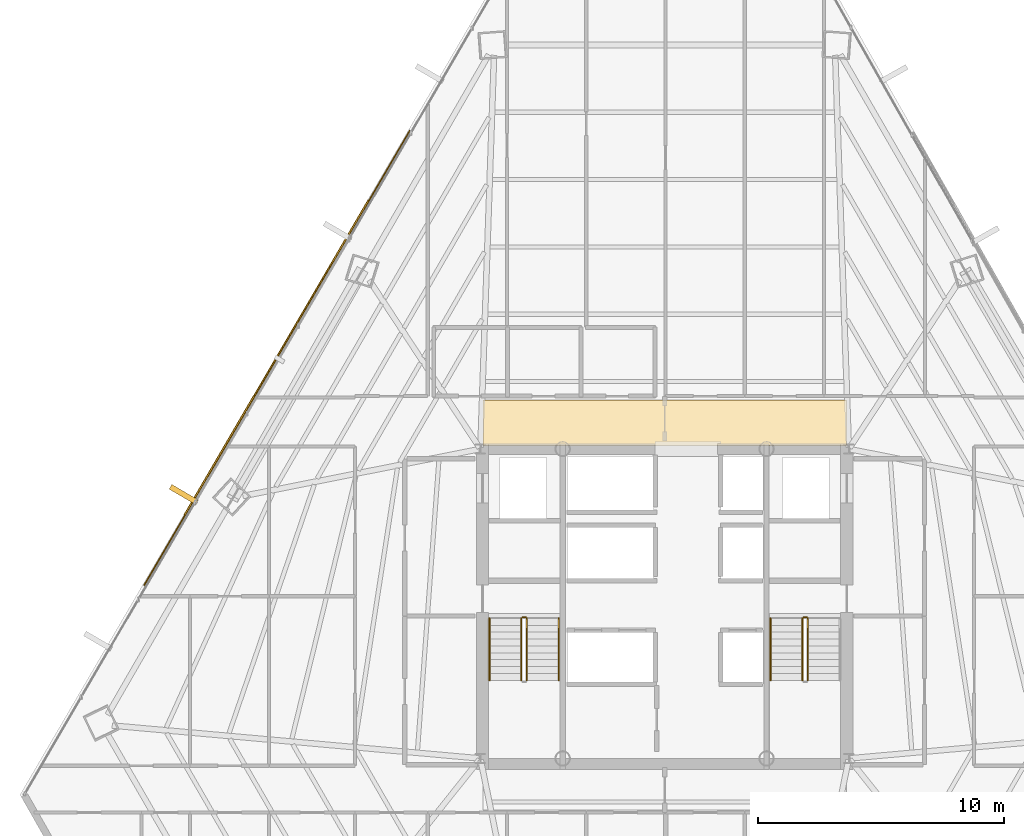
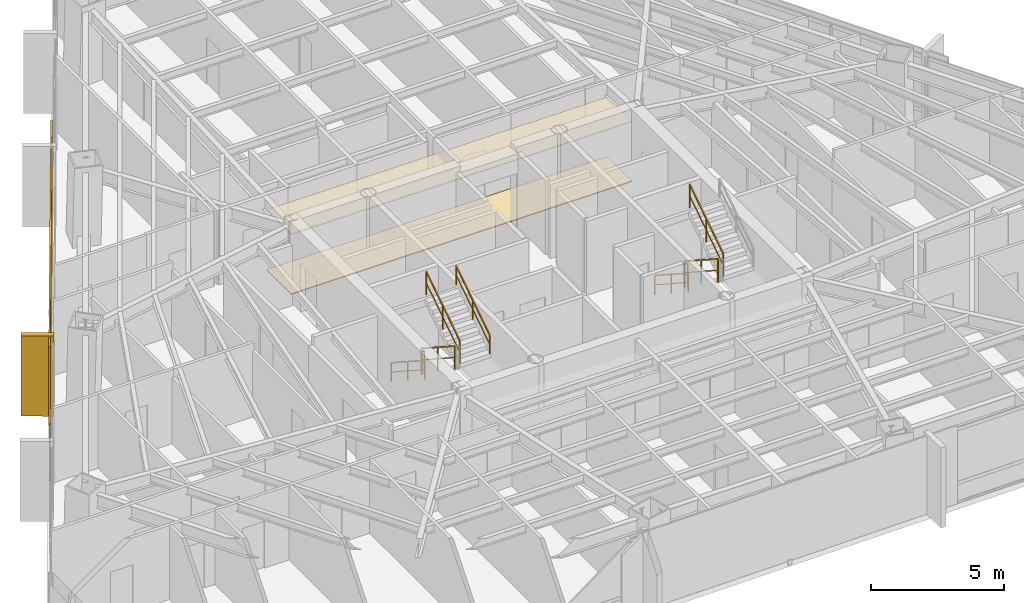
# One storey, part 34 of 35: 9 railings, 4 coverings, 1 shading device.
"""IFC4 building model written with IfcOpenShell, lengths in metres."""

from ifc_helpers import new_model, si_unit, direction, frame, origin, origin_2d, place, context, subcontext, project, spatial, polyline, rectangle, outline, extrude, source, transform, mapped, material, layer, layer_set, type_object, type_shapes, element, save


model = new_model("IFC4")

# Units and contexts
model_context = context("Model", 3, precision=1e-05, world=origin(), true_north=direction((0.0, 1.0)))
body_context = subcontext(model_context, "Body", "Model", "MODEL_VIEW")
ifc_project = project(units=[si_unit("LENGTHUNIT", "METRE"), si_unit("AREAUNIT", "SQUARE_METRE"), si_unit("VOLUMEUNIT", "CUBIC_METRE"), si_unit("PLANEANGLEUNIT", "RADIAN"), si_unit("MASSUNIT", "GRAM", prefix="KILO")], contexts=[model_context])

# Site, building, storey
site_placement = place(None, origin())
site = spatial("IfcSite", under=ifc_project, at=site_placement, CompositionType="ELEMENT")
building_placement = place(site_placement, origin())
building = spatial("IfcBuilding", under=site, at=building_placement, Name="Caelisora Broadcast Tower", CompositionType="ELEMENT")
storey_placement = place(building_placement, frame((0.0, 0.0, 123.64990234375)))
storey = spatial("IfcBuildingStorey", under=building, at=storey_placement, Name="L32", CompositionType="ELEMENT", Elevation=123.64990234375)

# Coverings
ifc_material_1 = material(Name="Perforated Mineral-Fibre Acoustic Ceiling Tile", Category="gypsum")
ifc_layer_1 = layer(ifc_material_1, 0.034912109375, Name="Perforated Mineral-Fibre Acoustic Ceiling Tile")
ifc_layer_set_1 = layer_set([ifc_layer_1], Name="Perforated Mineral-Fibre Acoustic Ceiling Tile")
covering_type_1 = type_object("IfcCoveringType", Name="CE-1", PredefinedType="CEILING", material=ifc_layer_set_1)
covering_1_placement = place(storey_placement, frame((0.0, 0.0, 2.75)))
element("IfcCovering", 1, at=covering_1_placement, inside=storey, type_object=covering_type_1, Name="L32 acoustic corridor ceiling CE-1 (N)", PredefinedType="CEILING", context=body_context, shape_type="SweptSolid", body=[
    extrude(outline(polyline([(30.60009765625, 30.14990234375), (45.39990234375, 30.14990234375), (45.39990234375, 32.0), (30.60009765625, 32.0), (30.60009765625, 30.14990234375)])), origin(), (0.0, 0.0, 1.0), 0.03515625),
])
ifc_material_2 = material(Name="Anti-Static Broadcast Raised Access Floor Panel", Category="steel")
ifc_layer_2 = layer(ifc_material_2, 0.044921875, Name="Anti-Static Broadcast Raised Access Floor Panel")
ifc_layer_set_2 = layer_set([ifc_layer_2], Name="Anti-Static Broadcast Raised Access Floor Panel")
covering_type_2 = type_object("IfcCoveringType", Name="FL-1", PredefinedType="FLOORING", material=ifc_layer_set_2)
covering_2_placement = place(storey_placement, origin())
element("IfcCovering", 2, at=covering_2_placement, inside=storey, type_object=covering_type_2, Name="L32 broadcast raised access floor FL-1 (N)", PredefinedType="FLOORING", context=body_context, shape_type="SweptSolid", body=[
    extrude(outline(polyline([(30.60009765625, 30.14990234375), (45.39990234375, 30.14990234375), (45.39990234375, 32.0), (30.60009765625, 32.0), (30.60009765625, 30.14990234375)])), origin(), (0.0, 0.0, 1.0), 0.045166015625),
])

# Railings
ifc_material_3 = material(Name="Galvanised Steel Safety Guardrail", Category="steel")
ifc_layer_3 = layer(ifc_material_3, 0.048095703125, Name="Galvanised Steel Safety Guardrail")
ifc_layer_set_3 = layer_set([ifc_layer_3], Name="Galvanised Steel Safety Guardrail")
railing_type_1 = type_object("IfcRailingType", Name="GR-1", PredefinedType="GUARDRAIL", material=ifc_layer_set_3)
railing_1_placement = place(storey_placement, frame((32.169921875, 23.10009765625, 0.1826171875)))
element("IfcRailing", 3, at=railing_1_placement, inside=storey, type_object=railing_type_1, Name="L32 ST-1 stair guard 1", PredefinedType="GUARDRAIL", context=body_context, shape_type="SweptSolid", body=[
    extrude(rectangle(XDim=0.048095703125, YDim=0.048095703125, at=origin_2d()), frame((0.0, 0.0, 1.076171875), z_axis=(0.0, -0.837749427056, 0.546054848405), x_axis=(1.0, 0.0, 0.0)), (0.0, 0.0, 1.0), 3.008056640625),
    extrude(rectangle(XDim=0.03125, YDim=0.03125, at=origin_2d()), frame((0.0, 0.0, 0.550048828125), z_axis=(0.0, -0.837749427056, 0.546054848405), x_axis=(1.0, 0.0, 0.0)), (0.0, 0.0, 1.0), 3.008056640625),
    extrude(rectangle(XDim=0.0419921875, YDim=0.0419921875, at=origin_2d()), origin(), (0.0, 0.0, 1.0), 1.052001953125),
    extrude(rectangle(XDim=0.0419921875, YDim=0.0419921875, at=origin_2d()), frame((0.0, -1.260009765625, 0.8212890625)), (0.0, 0.0, 1.0), 1.052001953125),
    extrude(rectangle(XDim=0.0419921875, YDim=0.0419921875, at=origin_2d()), frame((0.0, -2.52001953125, 1.642578125)), (0.0, 0.0, 1.0), 1.052001953125),
])
railing_2_placement = place(storey_placement, frame((32.389892578125, 20.580078125, 2.007568359375)))
element("IfcRailing", 4, at=railing_2_placement, inside=storey, type_object=railing_type_1, Name="L32 ST-1 stair guard 3", PredefinedType="GUARDRAIL", context=body_context, shape_type="SweptSolid", body=[
    extrude(rectangle(XDim=0.048095703125, YDim=0.048095703125, at=origin_2d()), frame((0.0, 0.0, 1.076171875), z_axis=(0.0, 0.837749427056, 0.546054848405), x_axis=(-1.0, 0.0, 0.0)), (0.0, 0.0, 1.0), 3.008056640625),
    extrude(rectangle(XDim=0.03125, YDim=0.03125, at=origin_2d()), frame((0.0, 0.0, 0.550048828125), z_axis=(0.0, 0.837749427056, 0.546054848405), x_axis=(-1.0, 0.0, 0.0)), (0.0, 0.0, 1.0), 3.008056640625),
    extrude(rectangle(XDim=0.0419921875, YDim=0.0419921875, at=origin_2d()), origin(), (0.0, 0.0, 1.0), 1.052001953125),
    extrude(rectangle(XDim=0.0419921875, YDim=0.0419921875, at=origin_2d()), frame((0.0, 1.260009765625, 0.8212890625)), (0.0, 0.0, 1.0), 1.052001953125),
    extrude(rectangle(XDim=0.0419921875, YDim=0.0419921875, at=origin_2d()), frame((0.0, 2.52001953125, 1.642578125)), (0.0, 0.0, 1.0), 1.052001953125),
])
railing_3_placement = place(storey_placement, frame((32.219970703125, 23.14990234375, 0.0)))
element("IfcRailing", 5, at=railing_3_placement, inside=storey, type_object=railing_type_1, Name="L32 ST-1 stair guard 4", PredefinedType="GUARDRAIL", context=body_context, shape_type="SweptSolid", body=[
    extrude(rectangle(XDim=0.048095703125, YDim=0.048095703125, at=origin_2d()), frame((0.0, 0.0, 1.076171875), z_axis=(1.0, 0.0, 0.0), x_axis=(0.0, 1.0, 0.0)), (0.0, 0.0, 1.0), 0.1201171875),
    extrude(rectangle(XDim=0.03125, YDim=0.03125, at=origin_2d()), frame((0.0, 0.0, 0.550048828125), z_axis=(1.0, 0.0, 0.0), x_axis=(0.0, 1.0, 0.0)), (0.0, 0.0, 1.0), 0.1201171875),
    extrude(rectangle(XDim=0.0419921875, YDim=0.0419921875, at=origin_2d()), origin(), (0.0, 0.0, 1.0), 1.052001953125),
    extrude(rectangle(XDim=0.0419921875, YDim=0.0419921875, at=origin_2d()), frame((0.1201171875, 0.0, 0.0)), (0.0, 0.0, 1.0), 1.052001953125),
])
railing_4_placement = place(storey_placement, frame((43.610107421875, 23.10009765625, 0.1826171875)))
element("IfcRailing", 6, at=railing_4_placement, inside=storey, type_object=railing_type_1, Name="L32 ST-2 stair guard 1", PredefinedType="GUARDRAIL", context=body_context, shape_type="SweptSolid", body=[
    extrude(rectangle(XDim=0.048095703125, YDim=0.048095703125, at=origin_2d()), frame((0.0, 0.0, 1.076171875), z_axis=(0.0, -0.837749427056, 0.546054848405), x_axis=(1.0, 0.0, 0.0)), (0.0, 0.0, 1.0), 3.008056640625),
    extrude(rectangle(XDim=0.03125, YDim=0.03125, at=origin_2d()), frame((0.0, 0.0, 0.550048828125), z_axis=(0.0, -0.837749427056, 0.546054848405), x_axis=(1.0, 0.0, 0.0)), (0.0, 0.0, 1.0), 3.008056640625),
    extrude(rectangle(XDim=0.0419921875, YDim=0.0419921875, at=origin_2d()), origin(), (0.0, 0.0, 1.0), 1.052001953125),
    extrude(rectangle(XDim=0.0419921875, YDim=0.0419921875, at=origin_2d()), frame((0.0, -1.260009765625, 0.8212890625)), (0.0, 0.0, 1.0), 1.052001953125),
    extrude(rectangle(XDim=0.0419921875, YDim=0.0419921875, at=origin_2d()), frame((0.0, -2.52001953125, 1.642578125)), (0.0, 0.0, 1.0), 1.052001953125),
])
railing_5_placement = place(storey_placement, frame((43.830078125, 20.580078125, 2.007568359375)))
element("IfcRailing", 7, at=railing_5_placement, inside=storey, type_object=railing_type_1, Name="L32 ST-2 stair guard 3", PredefinedType="GUARDRAIL", context=body_context, shape_type="SweptSolid", body=[
    extrude(rectangle(XDim=0.048095703125, YDim=0.048095703125, at=origin_2d()), frame((0.0, 0.0, 1.076171875), z_axis=(0.0, 0.837749427056, 0.546054848405), x_axis=(-1.0, 0.0, 0.0)), (0.0, 0.0, 1.0), 3.008056640625),
    extrude(rectangle(XDim=0.03125, YDim=0.03125, at=origin_2d()), frame((0.0, 0.0, 0.550048828125), z_axis=(0.0, 0.837749427056, 0.546054848405), x_axis=(-1.0, 0.0, 0.0)), (0.0, 0.0, 1.0), 3.008056640625),
    extrude(rectangle(XDim=0.0419921875, YDim=0.0419921875, at=origin_2d()), origin(), (0.0, 0.0, 1.0), 1.052001953125),
    extrude(rectangle(XDim=0.0419921875, YDim=0.0419921875, at=origin_2d()), frame((0.0, 1.260009765625, 0.8212890625)), (0.0, 0.0, 1.0), 1.052001953125),
    extrude(rectangle(XDim=0.0419921875, YDim=0.0419921875, at=origin_2d()), frame((0.0, 2.52001953125, 1.642578125)), (0.0, 0.0, 1.0), 1.052001953125),
])
railing_6_placement = place(storey_placement, frame((43.659912109375, 23.14990234375, 0.0)))
element("IfcRailing", 8, at=railing_6_placement, inside=storey, type_object=railing_type_1, Name="L32 ST-2 stair guard 4", PredefinedType="GUARDRAIL", context=body_context, shape_type="SweptSolid", body=[
    extrude(rectangle(XDim=0.048095703125, YDim=0.048095703125, at=origin_2d()), frame((0.0, 0.0, 1.076171875), z_axis=(1.0, 0.0, 0.0), x_axis=(0.0, 1.0, 0.0)), (0.0, 0.0, 1.0), 0.1201171875),
    extrude(rectangle(XDim=0.03125, YDim=0.03125, at=origin_2d()), frame((0.0, 0.0, 0.550048828125), z_axis=(1.0, 0.0, 0.0), x_axis=(0.0, 1.0, 0.0)), (0.0, 0.0, 1.0), 0.1201171875),
    extrude(rectangle(XDim=0.0419921875, YDim=0.0419921875, at=origin_2d()), origin(), (0.0, 0.0, 1.0), 1.052001953125),
    extrude(rectangle(XDim=0.0419921875, YDim=0.0419921875, at=origin_2d()), frame((0.1201171875, 0.0, 0.0)), (0.0, 0.0, 1.0), 1.052001953125),
])
ifc_material_4 = material(Name="Stainless Steel Grade 316 Tubular Handrail", Category="steel")
ifc_layer_4 = layer(ifc_material_4, 0.048095703125, Name="Stainless Steel Grade 316 Tubular Handrail")
ifc_layer_set_4 = layer_set([ifc_layer_4], Name="Stainless Steel Grade 316 Tubular Handrail")
railing_type_2 = type_object("IfcRailingType", Name="HR-1", PredefinedType="HANDRAIL", material=ifc_layer_set_4)
railing_7_placement = place(storey_placement, frame((30.8701171875, 23.10009765625, 0.1826171875)))
element("IfcRailing", 9, at=railing_7_placement, inside=storey, type_object=railing_type_2, Name="L32 ST-1 stair handrail 1", PredefinedType="HANDRAIL", context=body_context, shape_type="SweptSolid", body=[
    extrude(rectangle(XDim=0.048095703125, YDim=0.048095703125, at=origin_2d()), frame((0.0, 0.0, 0.8759765625), z_axis=(0.0, -0.837749427056, 0.546054848405), x_axis=(1.0, 0.0, 0.0)), (0.0, 0.0, 1.0), 3.008056640625),
    extrude(rectangle(XDim=0.03125, YDim=0.03125, at=origin_2d()), frame((0.0, 0.0, 0.449951171875), z_axis=(0.0, -0.837749427056, 0.546054848405), x_axis=(1.0, 0.0, 0.0)), (0.0, 0.0, 1.0), 3.008056640625),
    extrude(rectangle(XDim=0.0419921875, YDim=0.0419921875, at=origin_2d()), origin(), (0.0, 0.0, 1.0), 0.851806640625),
    extrude(rectangle(XDim=0.0419921875, YDim=0.0419921875, at=origin_2d()), frame((0.0, -1.260009765625, 0.8212890625)), (0.0, 0.0, 1.0), 0.851806640625),
    extrude(rectangle(XDim=0.0419921875, YDim=0.0419921875, at=origin_2d()), frame((0.0, -2.52001953125, 1.642578125)), (0.0, 0.0, 1.0), 0.851806640625),
])
railing_8_placement = place(storey_placement, frame((33.68994140625, 20.580078125, 2.007568359375)))
element("IfcRailing", 10, at=railing_8_placement, inside=storey, type_object=railing_type_2, Name="L32 ST-1 stair handrail 2", PredefinedType="HANDRAIL", context=body_context, shape_type="SweptSolid", body=[
    extrude(rectangle(XDim=0.048095703125, YDim=0.048095703125, at=origin_2d()), frame((0.0, 0.0, 0.8759765625), z_axis=(0.0, 0.837749427056, 0.546054848405), x_axis=(-1.0, 0.0, 0.0)), (0.0, 0.0, 1.0), 3.008056640625),
    extrude(rectangle(XDim=0.03125, YDim=0.03125, at=origin_2d()), frame((0.0, 0.0, 0.449951171875), z_axis=(0.0, 0.837749427056, 0.546054848405), x_axis=(-1.0, 0.0, 0.0)), (0.0, 0.0, 1.0), 3.008056640625),
    extrude(rectangle(XDim=0.0419921875, YDim=0.0419921875, at=origin_2d()), origin(), (0.0, 0.0, 1.0), 0.851806640625),
    extrude(rectangle(XDim=0.0419921875, YDim=0.0419921875, at=origin_2d()), frame((0.0, 1.260009765625, 0.8212890625)), (0.0, 0.0, 1.0), 0.851806640625),
    extrude(rectangle(XDim=0.0419921875, YDim=0.0419921875, at=origin_2d()), frame((0.0, 2.52001953125, 1.642578125)), (0.0, 0.0, 1.0), 0.851806640625),
])
railing_9_placement = place(storey_placement, frame((42.31005859375, 23.10009765625, 0.1826171875)))
element("IfcRailing", 11, at=railing_9_placement, inside=storey, type_object=railing_type_2, Name="L32 ST-2 stair handrail 1", PredefinedType="HANDRAIL", context=body_context, shape_type="SweptSolid", body=[
    extrude(rectangle(XDim=0.048095703125, YDim=0.048095703125, at=origin_2d()), frame((0.0, 0.0, 0.8759765625), z_axis=(0.0, -0.837749427056, 0.546054848405), x_axis=(1.0, 0.0, 0.0)), (0.0, 0.0, 1.0), 3.008056640625),
    extrude(rectangle(XDim=0.03125, YDim=0.03125, at=origin_2d()), frame((0.0, 0.0, 0.449951171875), z_axis=(0.0, -0.837749427056, 0.546054848405), x_axis=(1.0, 0.0, 0.0)), (0.0, 0.0, 1.0), 3.008056640625),
    extrude(rectangle(XDim=0.0419921875, YDim=0.0419921875, at=origin_2d()), origin(), (0.0, 0.0, 1.0), 0.851806640625),
    extrude(rectangle(XDim=0.0419921875, YDim=0.0419921875, at=origin_2d()), frame((0.0, -1.260009765625, 0.8212890625)), (0.0, 0.0, 1.0), 0.851806640625),
    extrude(rectangle(XDim=0.0419921875, YDim=0.0419921875, at=origin_2d()), frame((0.0, -2.52001953125, 1.642578125)), (0.0, 0.0, 1.0), 0.851806640625),
])

# Covering
ifc_material_5 = material(Name="Kiln-Fired Terracotta Spandrel Rainscreen Cladding", Category="ceramic")
ifc_layer_5 = layer(ifc_material_5, 0.044921875, Name="Kiln-Fired Terracotta Spandrel Rainscreen Cladding")
ifc_layer_set_5 = layer_set([ifc_layer_5], Name="Kiln-Fired Terracotta Spandrel Rainscreen Cladding")
covering_type_3 = type_object("IfcCoveringType", Name="CL-1", PredefinedType="CLADDING", material=ifc_layer_set_5)
shared_shape_1 = source(origin(), body_context, "Body", "SweptSolid", [
    extrude(rectangle(XDim=0.219970703125, YDim=1.25, at=origin_2d()), origin(), (0.0, 0.0, 1.0), 3.68994140625),
])
covering_3_placement = place(storey_placement, frame((18.42431640625, 28.143310546875, -0.019775390625), z_axis=(0.0, 0.0, 1.0), x_axis=(0.504527623815, 0.863395550607, 0.0)))
element("IfcCovering", 12, at=covering_3_placement, inside=storey, type_object=covering_type_3, Name="L32 vertical solar fin cladding #3-2", PredefinedType="CLADDING", context=body_context, shape_type="MappedRepresentation", body=[
    mapped(shared_shape_1, transform((0.0, 0.0, 0.0), scale=1.0)),
])

# Shading device
ifc_material_6 = material(Name="Perforated Glazed Terracotta Baguette Solar Screen", Category="ceramic")
ifc_layer_6 = layer(ifc_material_6, 0.06494140625, Name="Perforated Glazed Terracotta Baguette Solar Screen")
ifc_layer_set_6 = layer_set([ifc_layer_6], Name="Perforated Glazed Terracotta Baguette Solar Screen")
shading_device_type = type_object("IfcShadingDeviceType", Name="SS-1", PredefinedType="USERDEFINED", material=ifc_layer_set_6)
shared_shape_2 = source(origin(), body_context, "Body", "SweptSolid", [
    extrude(rectangle(XDim=14.85498046875, YDim=0.06494140625, at=origin_2d()), origin(), (0.0, 0.0, 1.0), 3.590087890625),
])
type_shapes(shading_device_type, [shared_shape_2])
shading_device_placement = place(storey_placement, frame((22.200927734375, 33.71484375, 0.0), z_axis=(0.0, 0.0, 1.0), x_axis=(-0.504527623815, -0.863395550607, 0.0)))
element("IfcShadingDevice", 13, at=shading_device_placement, inside=storey, type_object=shading_device_type, Name="L32 perforated terracotta solar screen #1", ObjectType="SOLAR SCREEN", PredefinedType="USERDEFINED", context=body_context, shape_type="MappedRepresentation", body=[
    mapped(shared_shape_2, transform((0.0, 0.0, 0.0), scale=1.0)),
])

# Covering
shared_shape_3 = source(origin(), body_context, "Body", "SweptSolid", [
    extrude(rectangle(XDim=21.4580078125, YDim=0.044921875, at=origin_2d()), origin(), (0.0, 0.0, 1.0), 0.340087890625),
])
type_shapes(covering_type_3, [shared_shape_1, shared_shape_3])
covering_4_placement = place(storey_placement, frame((22.21826171875, 33.70458984375, -0.27001953125), z_axis=(0.0, 0.0, 1.0), x_axis=(-0.504527623815, -0.863395550607, 0.0)))
element("IfcCovering", 14, at=covering_4_placement, inside=storey, type_object=covering_type_3, Name="L32 terracotta spandrel rainscreen #1", PredefinedType="CLADDING", context=body_context, shape_type="MappedRepresentation", body=[
    mapped(shared_shape_3, transform((0.0, 0.0, 0.0), scale=1.0)),
])

save(model, "model.ifc")
